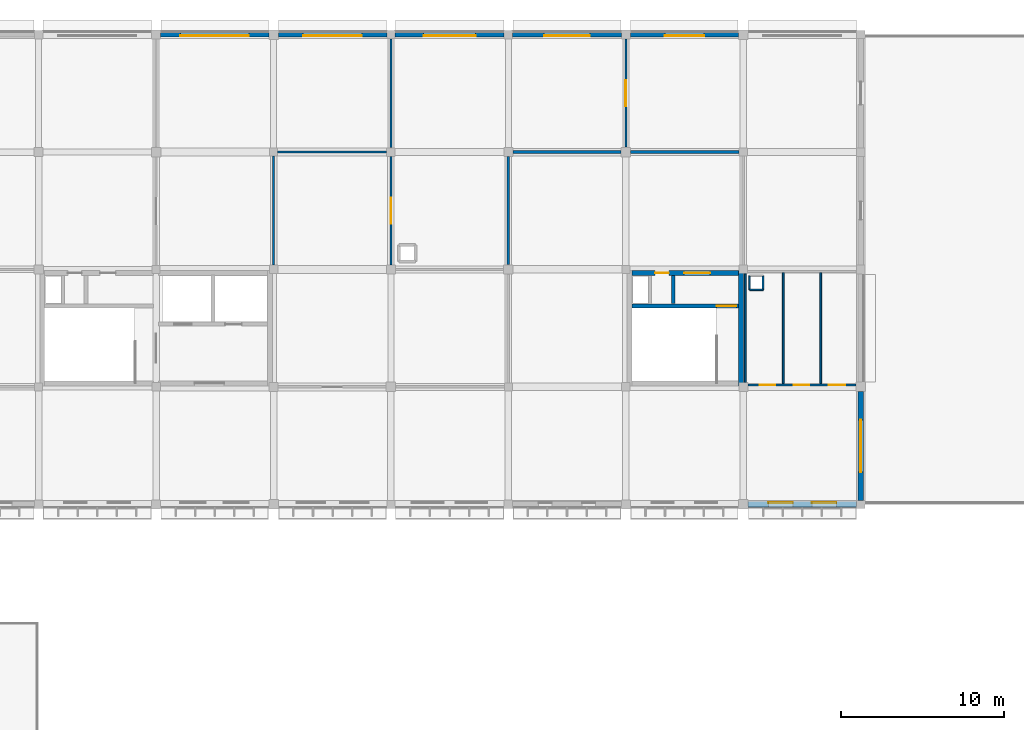
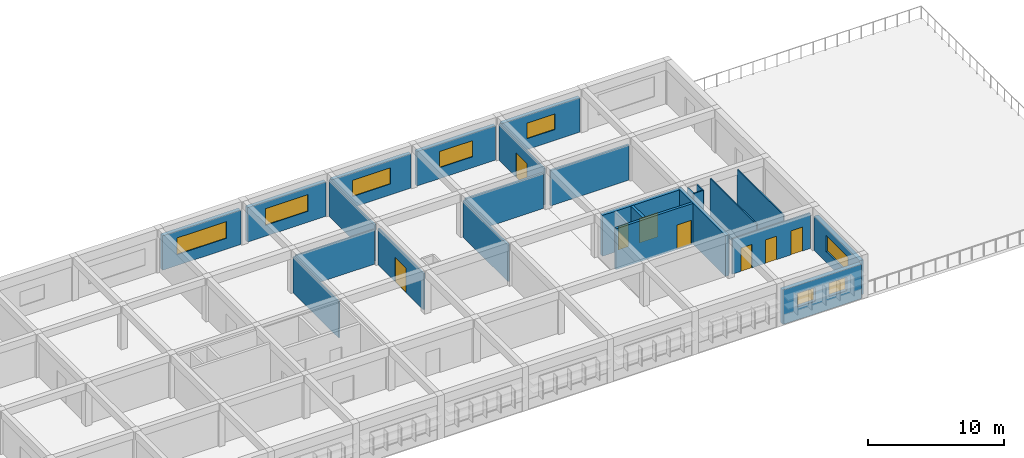
# One storey, part 17 of 22: 26 walls, 8 doors, 8 windows, 16 openings.
"""IFC4 building model written with IfcOpenShell, lengths in metres."""

from ifc_helpers import new_model, si_unit, direction, frame, frame_2d, origin, place, context, subcontext, project, spatial, rectangle, extrude, material, layer, layer_set, type_object, element, fill, save


model = new_model("IFC4")

# Units and contexts
model_context = context("Model", 3, precision=1e-05, world=origin(), true_north=direction((0.0, 1.0)))
body_context = subcontext(model_context, "Body", "Model", "MODEL_VIEW")
ifc_project = project(units=[si_unit("LENGTHUNIT", "METRE"), si_unit("AREAUNIT", "SQUARE_METRE"), si_unit("VOLUMEUNIT", "CUBIC_METRE"), si_unit("PLANEANGLEUNIT", "RADIAN"), si_unit("MASSUNIT", "GRAM", prefix="KILO")], contexts=[model_context])

# Site, building, storey
site_placement = place(None, origin())
site = spatial("IfcSite", under=ifc_project, at=site_placement, CompositionType="ELEMENT")
building_placement = place(site_placement, origin())
building = spatial("IfcBuilding", under=site, at=building_placement, Name="Thalmaran Polytechnic", CompositionType="ELEMENT")
storey_placement = place(building_placement, frame((0.0, 0.0, 22.800048828125)))
storey = spatial("IfcBuildingStorey", under=building, at=storey_placement, Name="L05", CompositionType="ELEMENT", Elevation=22.800048828125)

# Wall, openings, windows
ifc_material_1 = material(Name="Precast concrete C40/50", Category="concrete")
ifc_layer_1 = layer(ifc_material_1, 0.360107421875, Name="Precast concrete C40/50")
ifc_layer_set_1 = layer_set([ifc_layer_1], Name="Precast concrete C40/50")
wall_type_1 = type_object("IfcWallType", Name="WL-EW01", PredefinedType="STANDARD", material=ifc_layer_set_1)
wall_1_placement = place(storey_placement, frame((71.75, 93.60009765625, 0.0), z_axis=(0.0, 0.0, 1.0), x_axis=(-1.0, 0.0, 0.0)))
wall_1 = element("IfcWall", 1, at=wall_1_placement, inside=storey, type_object=wall_type_1, Name="Exterior Precast Facade Wall L05-025", PredefinedType="STANDARD", context=body_context, shape_type="SweptSolid", body=[
    extrude(rectangle(XDim=6.659912109375, YDim=0.360107421875, at=frame_2d((3.330078125, 0.0))), origin(), (0.0, 0.0, 1.0), 3.094970703125),
])
opening_1_placement = place(wall_1_placement, frame((1.248046875, 0.0, 1.14990234375)))
opening_1 = element("IfcOpeningElement", 2, at=opening_1_placement, cuts=wall_1, Name="Opening PW14", PredefinedType="OPENING", context=body_context, shape_type="SweptSolid", body=[
    extrude(rectangle(XDim=1.5, YDim=1.199951171875, at=frame_2d((0.75, 0.60009765625))), frame((0.0, 0.18994140625, 0.0), z_axis=(0.0, -1.0, 0.0), x_axis=(1.0, 0.0, 0.0)), (0.0, 0.0, 1.0), 0.380126953125),
])
opening_2_placement = place(wall_1_placement, frame((3.912109375, 0.0, 1.14990234375)))
opening_2 = element("IfcOpeningElement", 3, at=opening_2_placement, cuts=wall_1, Name="Opening PW14", PredefinedType="OPENING", context=body_context, shape_type="SweptSolid", body=[
    extrude(rectangle(XDim=1.5, YDim=1.199951171875, at=frame_2d((0.75, 0.60009765625))), frame((0.0, 0.18994140625, 0.0), z_axis=(0.0, -1.0, 0.0), x_axis=(1.0, 0.0, 0.0)), (0.0, 0.0, 1.0), 0.380126953125),
])
ifc_material_2 = material(Name="Thermally broken aluminium and double low-E glass", Category="aluminium")
window_type_1 = type_object("IfcWindowType", Name="WN-PW04", PartitioningType="DOUBLE_PANEL_VERTICAL", PredefinedType="WINDOW", material=ifc_material_2)
window_1_placement = place(opening_1_placement, origin())
window_1 = element("IfcWindow", 4, at=window_1_placement, inside=storey, type_object=window_type_1, Name="Deep-Set Solar-Screened Window W-0672", OverallHeight=1.199951171875, OverallWidth=1.5, PartitioningType="SINGLE_PANEL", PredefinedType="WINDOW", context=body_context, shape_type="SweptSolid", body=[
    extrude(rectangle(XDim=1.5, YDim=1.199951171875, at=frame_2d((0.75, 0.60009765625))), frame((0.0, -0.080078125, 0.0), z_axis=(0.0, -1.0, 0.0), x_axis=(1.0, 0.0, 0.0)), (0.0, 0.0, 1.0), 0.06005859375),
])
fill(opening_1, window_1)
window_2_placement = place(opening_2_placement, origin())
window_2 = element("IfcWindow", 5, at=window_2_placement, inside=storey, type_object=window_type_1, Name="Deep-Set Solar-Screened Window W-0673", OverallHeight=1.199951171875, OverallWidth=1.5, PartitioningType="SINGLE_PANEL", PredefinedType="WINDOW", context=body_context, shape_type="SweptSolid", body=[
    extrude(rectangle(XDim=1.5, YDim=1.199951171875, at=frame_2d((0.75, 0.60009765625))), frame((0.0, -0.080078125, 0.0), z_axis=(0.0, -1.0, 0.0), x_axis=(1.0, 0.0, 0.0)), (0.0, 0.0, 1.0), 0.06005859375),
])
fill(opening_2, window_2)

# Wall, opening, window
ifc_layer_2 = layer(ifc_material_1, 0.330078125, Name="Precast concrete C40/50")
ifc_layer_set_2 = layer_set([ifc_layer_2], Name="Precast concrete C40/50")
wall_type_2 = type_object("IfcWallType", Name="WL-EW02", PredefinedType="STANDARD", material=ifc_layer_set_2)
wall_2_placement = place(storey_placement, frame((72.0, 100.510009765625, 0.0), z_axis=(0.0, 0.0, 1.0), x_axis=(0.0, -1.0, 0.0)))
wall_2 = element("IfcWall", 6, at=wall_2_placement, inside=storey, type_object=wall_type_2, Name="Terrace Access Wall L05-024", PredefinedType="STANDARD", context=body_context, shape_type="SweptSolid", body=[
    extrude(rectangle(XDim=6.659912109375, YDim=0.330078125, at=frame_2d((3.330078125, 0.0))), origin(), (0.0, 0.0, 1.0), 3.094970703125),
])
opening_3_placement = place(wall_2_placement, frame((1.72998046875, 0.0, 0.949951171875)))
opening_3 = element("IfcOpeningElement", 7, at=opening_3_placement, cuts=wall_2, Name="Opening RW04", PredefinedType="OPENING", context=body_context, shape_type="SweptSolid", body=[
    extrude(rectangle(XDim=3.199951171875, YDim=1.449951171875, at=frame_2d((1.60009765625, 0.72509765625))), frame((0.0, 0.175048828125, 0.0), z_axis=(0.0, -1.0, 0.0), x_axis=(1.0, 0.0, 0.0)), (0.0, 0.0, 1.0), 0.35009765625),
])
window_type_2 = type_object("IfcWindowType", Name="WN-RW04", PartitioningType="DOUBLE_PANEL_VERTICAL", PredefinedType="WINDOW", material=ifc_material_2)
window_3_placement = place(opening_3_placement, origin())
window_3 = element("IfcWindow", 8, at=window_3_placement, inside=storey, type_object=window_type_2, Name="Terrace Ribbon Window W-0671", OverallHeight=1.449951171875, OverallWidth=3.199951171875, PartitioningType="SINGLE_PANEL", PredefinedType="WINDOW", context=body_context, shape_type="SweptSolid", body=[
    extrude(rectangle(XDim=3.199951171875, YDim=1.449951171875, at=frame_2d((1.60009765625, 0.72509765625))), frame((0.0, 0.030029296875, 0.0), z_axis=(0.0, -1.0, 0.0), x_axis=(1.0, 0.0, 0.0)), (0.0, 0.0, 1.0), 0.06005859375),
])
fill(opening_3, window_3)

ifc_layer_3 = layer(ifc_material_1, 0.31005859375, Name="Precast concrete C40/50")
ifc_layer_set_3 = layer_set([ifc_layer_3], Name="Precast concrete C40/50")
wall_type_3 = type_object("IfcWallType", Name="WL-EW03", PredefinedType="STANDARD", material=ifc_layer_set_3)
wall_3_placement = place(storey_placement, frame((29.074951171875, 122.39990234375, 0.0), z_axis=(0.0, 0.0, 1.0), x_axis=(1.0, 0.0, 0.0)))
wall_3 = element("IfcWall", 9, at=wall_3_placement, inside=storey, type_object=wall_type_3, Name="Exterior Precast Facade Wall L05-015", PredefinedType="STANDARD", context=body_context, shape_type="SweptSolid", body=[
    extrude(rectangle(XDim=6.635009765625, YDim=0.31005859375, at=frame_2d((3.3173828125, 0.0))), origin(), (0.0, 0.0, 1.0), 3.094970703125),
])
opening_4_placement = place(wall_3_placement, frame((1.217529296875, 0.0, 0.97998046875)))
opening_4 = element("IfcOpeningElement", 10, at=opening_4_placement, cuts=wall_3, Name="Opening RW02", PredefinedType="OPENING", context=body_context, shape_type="SweptSolid", body=[
    extrude(rectangle(XDim=4.199951171875, YDim=1.5, at=frame_2d((2.10009765625, 0.75))), frame((0.0, 0.1650390625, 0.0), z_axis=(0.0, -1.0, 0.0), x_axis=(1.0, 0.0, 0.0)), (0.0, 0.0, 1.0), 0.330078125),
])
window_type_3 = type_object("IfcWindowType", Name="WN-RW02", PartitioningType="TRIPLE_PANEL_HORIZONTAL", PredefinedType="WINDOW", material=ifc_material_2)
window_4_placement = place(opening_4_placement, origin())
window_4 = element("IfcWindow", 11, at=window_4_placement, inside=storey, type_object=window_type_3, Name="Streamline Ribbon Window W-0665", OverallHeight=1.5, OverallWidth=4.199951171875, PartitioningType="SINGLE_PANEL", PredefinedType="WINDOW", context=body_context, shape_type="SweptSolid", body=[
    extrude(rectangle(XDim=4.199951171875, YDim=1.5, at=frame_2d((2.10009765625, 0.75))), frame((0.0, -0.030029296875, 0.0), z_axis=(0.0, -1.0, 0.0), x_axis=(1.0, 0.0, 0.0)), (0.0, 0.0, 1.0), 0.06005859375),
])
fill(opening_4, window_4)

wall_4_placement = place(storey_placement, frame((36.2900390625, 122.39990234375, 0.0), z_axis=(0.0, 0.0, 1.0), x_axis=(1.0, 0.0, 0.0)))
wall_4 = element("IfcWall", 12, at=wall_4_placement, inside=storey, type_object=wall_type_3, Name="Exterior Precast Facade Wall L05-016", PredefinedType="STANDARD", context=body_context, shape_type="SweptSolid", body=[
    extrude(rectangle(XDim=6.659912109375, YDim=0.31005859375, at=frame_2d((3.330078125, 0.0))), origin(), (0.0, 0.0, 1.0), 3.094970703125),
])
opening_5_placement = place(wall_4_placement, frame((1.530029296875, 0.0, 0.97998046875)))
opening_5 = element("IfcOpeningElement", 13, at=opening_5_placement, cuts=wall_4, Name="Opening RW03", PredefinedType="OPENING", context=body_context, shape_type="SweptSolid", body=[
    extrude(rectangle(XDim=3.60009765625, YDim=1.5, at=frame_2d((1.800048828125, 0.75))), frame((0.0, 0.1650390625, 0.0), z_axis=(0.0, -1.0, 0.0), x_axis=(1.0, 0.0, 0.0)), (0.0, 0.0, 1.0), 0.330078125),
])
window_type_4 = type_object("IfcWindowType", Name="WN-RW03", PartitioningType="DOUBLE_PANEL_VERTICAL", PredefinedType="WINDOW", material=ifc_material_2)
window_5_placement = place(opening_5_placement, origin())
window_5 = element("IfcWindow", 14, at=window_5_placement, inside=storey, type_object=window_type_4, Name="Streamline Ribbon Window W-0666", OverallHeight=1.5, OverallWidth=3.60009765625, PartitioningType="SINGLE_PANEL", PredefinedType="WINDOW", context=body_context, shape_type="SweptSolid", body=[
    extrude(rectangle(XDim=3.60009765625, YDim=1.5, at=frame_2d((1.800048828125, 0.75))), frame((0.0, -0.030029296875, 0.0), z_axis=(0.0, -1.0, 0.0), x_axis=(1.0, 0.0, 0.0)), (0.0, 0.0, 1.0), 0.06005859375),
])
fill(opening_5, window_5)

wall_5_placement = place(storey_placement, frame((43.449951171875, 122.39990234375, 0.0), z_axis=(0.0, 0.0, 1.0), x_axis=(1.0, 0.0, 0.0)))
wall_5 = element("IfcWall", 15, at=wall_5_placement, inside=storey, type_object=wall_type_3, Name="Exterior Precast Facade Wall L05-017", PredefinedType="STANDARD", context=body_context, shape_type="SweptSolid", body=[
    extrude(rectangle(XDim=6.68994140625, YDim=0.31005859375, at=frame_2d((3.344970703125, 0.0))), origin(), (0.0, 0.0, 1.0), 3.094970703125),
])
opening_6_placement = place(wall_5_placement, frame((1.7451171875, 0.0, 0.97998046875)))
opening_6 = element("IfcOpeningElement", 16, at=opening_6_placement, cuts=wall_5, Name="Opening RW04", PredefinedType="OPENING", context=body_context, shape_type="SweptSolid", body=[
    extrude(rectangle(XDim=3.199951171875, YDim=1.449951171875, at=frame_2d((1.60009765625, 0.72509765625))), frame((0.0, 0.1650390625, 0.0), z_axis=(0.0, -1.0, 0.0), x_axis=(1.0, 0.0, 0.0)), (0.0, 0.0, 1.0), 0.330078125),
])
window_6_placement = place(opening_6_placement, origin())
window_6 = element("IfcWindow", 17, at=window_6_placement, inside=storey, type_object=window_type_2, Name="Streamline Ribbon Window W-0667", OverallHeight=1.449951171875, OverallWidth=3.199951171875, PartitioningType="SINGLE_PANEL", PredefinedType="WINDOW", context=body_context, shape_type="SweptSolid", body=[
    extrude(rectangle(XDim=3.199951171875, YDim=1.449951171875, at=frame_2d((1.60009765625, 0.72509765625))), frame((0.0, -0.030029296875, 0.0), z_axis=(0.0, -1.0, 0.0), x_axis=(1.0, 0.0, 0.0)), (0.0, 0.0, 1.0), 0.06005859375),
])
fill(opening_6, window_6)

wall_6_placement = place(storey_placement, frame((50.659912109375, 122.39990234375, 0.0), z_axis=(0.0, 0.0, 1.0), x_axis=(1.0, 0.0, 0.0)))
wall_6 = element("IfcWall", 18, at=wall_6_placement, inside=storey, type_object=wall_type_3, Name="Exterior Precast Facade Wall L05-018", PredefinedType="STANDARD", context=body_context, shape_type="SweptSolid", body=[
    extrude(rectangle(XDim=6.6650390625, YDim=0.31005859375, at=frame_2d((3.33251953125, 0.0))), origin(), (0.0, 0.0, 1.0), 3.094970703125),
])
opening_7_placement = place(wall_6_placement, frame((1.9326171875, 0.0, 0.97998046875)))
opening_7 = element("IfcOpeningElement", 19, at=opening_7_placement, cuts=wall_6, Name="Opening RW05", PredefinedType="OPENING", context=body_context, shape_type="SweptSolid", body=[
    extrude(rectangle(XDim=2.800048828125, YDim=1.449951171875, at=frame_2d((1.39990234375, 0.72509765625))), frame((0.0, 0.1650390625, 0.0), z_axis=(0.0, -1.0, 0.0), x_axis=(1.0, 0.0, 0.0)), (0.0, 0.0, 1.0), 0.330078125),
])
window_type_5 = type_object("IfcWindowType", Name="WN-RW05", PartitioningType="DOUBLE_PANEL_VERTICAL", PredefinedType="WINDOW", material=ifc_material_2)
window_7_placement = place(opening_7_placement, origin())
window_7 = element("IfcWindow", 20, at=window_7_placement, inside=storey, type_object=window_type_5, Name="Streamline Ribbon Window W-0668", OverallHeight=1.449951171875, OverallWidth=2.800048828125, PartitioningType="SINGLE_PANEL", PredefinedType="WINDOW", context=body_context, shape_type="SweptSolid", body=[
    extrude(rectangle(XDim=2.800048828125, YDim=1.449951171875, at=frame_2d((1.39990234375, 0.72509765625))), frame((0.0, -0.030029296875, 0.0), z_axis=(0.0, -1.0, 0.0), x_axis=(1.0, 0.0, 0.0)), (0.0, 0.0, 1.0), 0.06005859375),
])
fill(opening_7, window_7)

wall_7_placement = place(storey_placement, frame((57.875, 122.39990234375, 0.0), z_axis=(0.0, 0.0, 1.0), x_axis=(1.0, 0.0, 0.0)))
wall_7 = element("IfcWall", 21, at=wall_7_placement, inside=storey, type_object=wall_type_3, Name="Exterior Precast Facade Wall L05-019", PredefinedType="STANDARD", context=body_context, shape_type="SweptSolid", body=[
    extrude(rectangle(XDim=6.635009765625, YDim=0.31005859375, at=frame_2d((3.3173828125, 0.0))), origin(), (0.0, 0.0, 1.0), 3.094970703125),
])
opening_8_placement = place(wall_7_placement, frame((2.117431640625, 0.0, 0.97998046875)))
opening_8 = element("IfcOpeningElement", 22, at=opening_8_placement, cuts=wall_7, Name="Opening RW06", PredefinedType="OPENING", context=body_context, shape_type="SweptSolid", body=[
    extrude(rectangle(XDim=2.39990234375, YDim=1.39990234375, at=frame_2d((1.199951171875, 0.699951171875))), frame((0.0, 0.1650390625, 0.0), z_axis=(0.0, -1.0, 0.0), x_axis=(1.0, 0.0, 0.0)), (0.0, 0.0, 1.0), 0.330078125),
])
window_type_6 = type_object("IfcWindowType", Name="WN-RW06", PartitioningType="DOUBLE_PANEL_VERTICAL", PredefinedType="WINDOW", material=ifc_material_2)
window_8_placement = place(opening_8_placement, origin())
window_8 = element("IfcWindow", 23, at=window_8_placement, inside=storey, type_object=window_type_6, Name="Streamline Ribbon Window W-0669", OverallHeight=1.39990234375, OverallWidth=2.39990234375, PartitioningType="SINGLE_PANEL", PredefinedType="WINDOW", context=body_context, shape_type="SweptSolid", body=[
    extrude(rectangle(XDim=2.39990234375, YDim=1.39990234375, at=frame_2d((1.199951171875, 0.699951171875))), frame((0.0, -0.030029296875, 0.0), z_axis=(0.0, -1.0, 0.0), x_axis=(1.0, 0.0, 0.0)), (0.0, 0.0, 1.0), 0.06005859375),
])
fill(opening_8, window_8)

# Walls
ifc_material_3 = material(Name="Autoclaved aerated masonry", Category="masonry")
ifc_layer_4 = layer(ifc_material_3, 0.22998046875, Name="Autoclaved aerated masonry")
ifc_layer_set_4 = layer_set([ifc_layer_4], Name="Autoclaved aerated masonry")
wall_type_4 = type_object("IfcWallType", Name="WL-IW02", PredefinedType="PARTITIONING", material=ifc_layer_set_4)
wall_8_placement = place(storey_placement, frame((60.5, 105.89990234375, 0.0), z_axis=(0.0, 0.0, 1.0), x_axis=(0.0, 1.0, 0.0)))
element("IfcWall", 24, at=wall_8_placement, inside=storey, type_object=wall_type_4, Name="Core C6 Riser Partition L05", PredefinedType="PARTITIONING", context=body_context, shape_type="SweptSolid", body=[
    extrude(rectangle(XDim=1.739990234375, YDim=0.22998046875, at=frame_2d((0.8701171875, 0.0))), origin(), (0.0, 0.0, 1.0), 3.669921875),
])
ifc_material_4 = material(Name="Gypsum acoustic partition")
ifc_layer_5 = layer(ifc_material_4, 0.159912109375, Name="Gypsum acoustic partition")
ifc_layer_set_5 = layer_set([ifc_layer_5], Name="Gypsum acoustic partition")
wall_type_5 = type_object("IfcWallType", Name="WL-IW05", PredefinedType="PARTITIONING", material=ifc_layer_set_5)
wall_9_placement = place(storey_placement, frame((50.39990234375, 108.294921875, 0.0), z_axis=(0.0, 0.0, 1.0), x_axis=(0.0, 1.0, 0.0)))
element("IfcWall", 25, at=wall_9_placement, inside=storey, type_object=wall_type_5, Name="Interior Partition IW05 L05-032", PredefinedType="PARTITIONING", context=body_context, shape_type="SweptSolid", body=[
    extrude(rectangle(XDim=6.625, YDim=0.159912109375, at=frame_2d((3.3125, 0.0))), origin(), (0.0, 0.0, 1.0), 3.27001953125),
])
wall_10_placement = place(storey_placement, frame((50.679931640625, 115.199951171875, 0.0), z_axis=(0.0, 0.0, 1.0), x_axis=(1.0, 0.0, 0.0)))
element("IfcWall", 26, at=wall_10_placement, inside=storey, type_object=wall_type_5, Name="Interior Partition IW05 L05-033", PredefinedType="PARTITIONING", context=body_context, shape_type="SweptSolid", body=[
    extrude(rectangle(XDim=6.625, YDim=0.159912109375, at=frame_2d((3.3125, 0.0))), origin(), (0.0, 0.0, 1.0), 3.159912109375),
])
wall_11_placement = place(storey_placement, frame((57.89501953125, 115.199951171875, 0.0), z_axis=(0.0, 0.0, 1.0), x_axis=(1.0, 0.0, 0.0)))
element("IfcWall", 27, at=wall_11_placement, inside=storey, type_object=wall_type_5, Name="Interior Partition IW05 L05-036", PredefinedType="PARTITIONING", context=body_context, shape_type="SweptSolid", body=[
    extrude(rectangle(XDim=6.64990234375, YDim=0.159912109375, at=frame_2d((3.324951171875, 0.0))), origin(), (0.0, 0.0, 1.0), 3.175048828125),
])
ifc_layer_6 = layer(ifc_material_4, 0.1298828125, Name="Gypsum acoustic partition")
ifc_layer_set_6 = layer_set([ifc_layer_6], Name="Gypsum acoustic partition")
wall_type_6 = type_object("IfcWallType", Name="WL-IW07", PredefinedType="PARTITIONING", material=ifc_layer_set_6)
wall_12_placement = place(storey_placement, frame((36.0, 108.264892578125, 0.0), z_axis=(0.0, 0.0, 1.0), x_axis=(0.0, 1.0, 0.0)))
element("IfcWall", 28, at=wall_12_placement, inside=storey, type_object=wall_type_6, Name="Interior Partition IW07 L05-024", PredefinedType="PARTITIONING", context=body_context, shape_type="SweptSolid", body=[
    extrude(rectangle(XDim=6.68017578125, YDim=0.1298828125, at=frame_2d((3.340087890625, 0.0))), origin(), (0.0, 0.0, 1.0), 3.27001953125),
])

# Wall, opening, door
wall_13_placement = place(storey_placement, frame((43.199951171875, 108.280029296875, 0.0), z_axis=(0.0, 0.0, 1.0), x_axis=(0.0, 1.0, 0.0)))
wall_13 = element("IfcWall", 29, at=wall_13_placement, inside=storey, type_object=wall_type_6, Name="Interior Partition IW07 L05-026", PredefinedType="PARTITIONING", context=body_context, shape_type="SweptSolid", body=[
    extrude(rectangle(XDim=6.655029296875, YDim=0.1298828125, at=frame_2d((3.32763671875, 0.0))), origin(), (0.0, 0.0, 1.0), 3.27001953125),
])
opening_9_placement = place(wall_13_placement, frame((2.527587890625, 0.0, 0.0)))
opening_9 = element("IfcOpeningElement", 30, at=opening_9_placement, cuts=wall_13, Name="Opening D-L05-013-2-07-1", PredefinedType="OPENING", context=body_context, shape_type="SweptSolid", body=[
    extrude(rectangle(XDim=1.60009765625, YDim=2.199951171875, at=frame_2d((0.800048828125, 1.10009765625))), frame((0.0, 0.074951171875, 0.0), z_axis=(0.0, -1.0, 0.0), x_axis=(1.0, 0.0, 0.0)), (0.0, 0.0, 1.0), 0.14990234375),
])
ifc_material_5 = material(Name="Powder-coated fire-rated steel", Category="steel")
door_type_1 = type_object("IfcDoorType", Name="DR-FD05", OperationType="NOTDEFINED", PredefinedType="DOOR", material=ifc_material_5)
door_1_placement = place(opening_9_placement, origin())
door_1 = element("IfcDoor", 31, at=door_1_placement, inside=storey, type_object=door_type_1, Name="Polytechnic Library Reading Hall L05-07 Door 1", OperationType="DOUBLE_DOOR_SINGLE_SWING", OverallHeight=2.199951171875, OverallWidth=1.60009765625, PredefinedType="DOOR", context=body_context, shape_type="SweptSolid", body=[
    extrude(rectangle(XDim=1.60009765625, YDim=2.199951171875, at=frame_2d((0.800048828125, 1.10009765625))), frame((0.0, 0.02490234375, 0.0), z_axis=(0.0, -1.0, 0.0), x_axis=(1.0, 0.0, 0.0)), (0.0, 0.0, 1.0), 0.050048828125),
])
fill(opening_9, door_1)

# Wall
wall_14_placement = place(storey_placement, frame((43.199951171875, 115.465087890625, 0.0), z_axis=(0.0, 0.0, 1.0), x_axis=(0.0, 1.0, 0.0)))
element("IfcWall", 32, at=wall_14_placement, inside=storey, type_object=wall_type_6, Name="Interior Partition IW07 L05-028", PredefinedType="PARTITIONING", context=body_context, shape_type="SweptSolid", body=[
    extrude(rectangle(XDim=6.679931640625, YDim=0.1298828125, at=frame_2d((3.33984375, 0.0))), origin(), (0.0, 0.0, 1.0), 3.264892578125),
])

# Wall, opening, door
wall_15_placement = place(storey_placement, frame((57.60009765625, 115.4951171875, 0.0), z_axis=(0.0, 0.0, 1.0), x_axis=(0.0, 1.0, 0.0)))
wall_15 = element("IfcWall", 33, at=wall_15_placement, inside=storey, type_object=wall_type_6, Name="Interior Partition IW07 L05-034", PredefinedType="PARTITIONING", context=body_context, shape_type="SweptSolid", body=[
    extrude(rectangle(XDim=6.625, YDim=0.1298828125, at=frame_2d((3.3125, 0.0))), origin(), (0.0, 0.0, 1.0), 3.264892578125),
])
opening_10_placement = place(wall_15_placement, frame((2.512451171875, 0.0, 0.0)))
opening_10 = element("IfcOpeningElement", 34, at=opening_10_placement, cuts=wall_15, Name="Opening D-L05-014-2-08-1", PredefinedType="OPENING", context=body_context, shape_type="SweptSolid", body=[
    extrude(rectangle(XDim=1.60009765625, YDim=2.199951171875, at=frame_2d((0.800048828125, 1.10009765625))), frame((0.0, 0.074951171875, 0.0), z_axis=(0.0, -1.0, 0.0), x_axis=(1.0, 0.0, 0.0)), (0.0, 0.0, 1.0), 0.14990234375),
])
door_2_placement = place(opening_10_placement, origin())
door_2 = element("IfcDoor", 35, at=door_2_placement, inside=storey, type_object=door_type_1, Name="Library Book Stacks L05-08 Door 1", OperationType="DOUBLE_DOOR_SINGLE_SWING", OverallHeight=2.199951171875, OverallWidth=1.60009765625, PredefinedType="DOOR", context=body_context, shape_type="SweptSolid", body=[
    extrude(rectangle(XDim=1.60009765625, YDim=2.199951171875, at=frame_2d((0.800048828125, 1.10009765625))), frame((0.0, 0.02490234375, 0.0), z_axis=(0.0, -1.0, 0.0), x_axis=(1.0, 0.0, 0.0)), (0.0, 0.0, 1.0), 0.050048828125),
])
fill(opening_10, door_2)

# Wall, openings, doors
ifc_layer_7 = layer(ifc_material_4, 0.114990234375, Name="Gypsum acoustic partition")
ifc_layer_set_7 = layer_set([ifc_layer_7], Name="Gypsum acoustic partition")
wall_type_7 = type_object("IfcWallType", Name="WL-IW08", PredefinedType="PARTITIONING", material=ifc_layer_set_7)
wall_16_placement = place(storey_placement, frame((65.080078125, 100.919921875, 0.0), z_axis=(0.0, 0.0, 1.0), x_axis=(1.0, 0.0, 0.0)))
wall_16 = element("IfcWall", 36, at=wall_16_placement, inside=storey, type_object=wall_type_7, Name="Sanitary Core Wall L05-W2-S", PredefinedType="PARTITIONING", context=body_context, shape_type="SweptSolid", body=[
    extrude(rectangle(XDim=6.625, YDim=0.114990234375, at=frame_2d((3.3125, 0.0))), origin(), (0.0, 0.0, 1.0), 3.179931640625),
])
opening_11_placement = place(wall_16_placement, frame((0.719970703125, 0.0, 0.0)))
opening_11 = element("IfcOpeningElement", 37, at=opening_11_placement, cuts=wall_16, Name="Opening WD-L05-W2-1", PredefinedType="OPENING", context=body_context, shape_type="SweptSolid", body=[
    extrude(rectangle(XDim=0.949951171875, YDim=2.10009765625, at=frame_2d((0.47509765625, 1.050048828125))), frame((0.0, 0.0673828125, 0.0), z_axis=(0.0, -1.0, 0.0), x_axis=(1.0, 0.0, 0.0)), (0.0, 0.0, 1.0), 0.135009765625),
])
opening_12_placement = place(wall_16_placement, frame((2.820068359375, 0.0, 0.0)))
opening_12 = element("IfcOpeningElement", 38, at=opening_12_placement, cuts=wall_16, Name="Opening WD-L05-W2-2", PredefinedType="OPENING", context=body_context, shape_type="SweptSolid", body=[
    extrude(rectangle(XDim=0.949951171875, YDim=2.10009765625, at=frame_2d((0.47509765625, 1.050048828125))), frame((0.0, 0.0673828125, 0.0), z_axis=(0.0, -1.0, 0.0), x_axis=(1.0, 0.0, 0.0)), (0.0, 0.0, 1.0), 0.135009765625),
])
opening_13_placement = place(wall_16_placement, frame((4.969970703125, 0.0, 0.0)))
opening_13 = element("IfcOpeningElement", 39, at=opening_13_placement, cuts=wall_16, Name="Opening WD-L05-W2-3", PredefinedType="OPENING", context=body_context, shape_type="SweptSolid", body=[
    extrude(rectangle(XDim=1.0, YDim=2.14990234375, at=frame_2d((0.5, 1.074951171875))), frame((0.0, 0.0673828125, 0.0), z_axis=(0.0, -1.0, 0.0), x_axis=(1.0, 0.0, 0.0)), (0.0, 0.0, 1.0), 0.135009765625),
])
ifc_material_6 = material(Name="Acoustic hardwood", Category="wood")
door_type_2 = type_object("IfcDoorType", Name="DR-ID06", OperationType="NOTDEFINED", PredefinedType="DOOR", material=ifc_material_6)
door_3_placement = place(opening_13_placement, origin())
door_3 = element("IfcDoor", 40, at=door_3_placement, inside=storey, type_object=door_type_2, Name="Accessible WC Door L05-W2", OperationType="SINGLE_SWING_RIGHT", OverallHeight=2.14990234375, OverallWidth=1.0, PredefinedType="DOOR", context=body_context, shape_type="SweptSolid", body=[
    extrude(rectangle(XDim=1.0, YDim=2.14990234375, at=frame_2d((0.5, 1.074951171875))), frame((0.0, 0.02490234375, 0.0), z_axis=(0.0, -1.0, 0.0), x_axis=(1.0, 0.0, 0.0)), (0.0, 0.0, 1.0), 0.050048828125),
])
fill(opening_13, door_3)
ifc_material_7 = material(Name="Moisture-resistant laminate timber", Category="wood")
door_type_3 = type_object("IfcDoorType", Name="DR-ID07", OperationType="NOTDEFINED", PredefinedType="DOOR", material=ifc_material_7)
door_4_placement = place(opening_11_placement, origin())
door_4 = element("IfcDoor", 41, at=door_4_placement, inside=storey, type_object=door_type_3, Name="Male WC Door L05-W2", OperationType="SINGLE_SWING_RIGHT", OverallHeight=2.10009765625, OverallWidth=0.949951171875, PredefinedType="DOOR", context=body_context, shape_type="SweptSolid", body=[
    extrude(rectangle(XDim=0.949951171875, YDim=2.10009765625, at=frame_2d((0.47509765625, 1.050048828125))), frame((0.0, 0.02490234375, 0.0), z_axis=(0.0, -1.0, 0.0), x_axis=(1.0, 0.0, 0.0)), (0.0, 0.0, 1.0), 0.050048828125),
])
fill(opening_11, door_4)
door_5_placement = place(opening_12_placement, origin())
door_5 = element("IfcDoor", 42, at=door_5_placement, inside=storey, type_object=door_type_3, Name="Female WC Door L05-W2", OperationType="SINGLE_SWING_LEFT", OverallHeight=2.10009765625, OverallWidth=0.949951171875, PredefinedType="DOOR", context=body_context, shape_type="SweptSolid", body=[
    extrude(rectangle(XDim=0.949951171875, YDim=2.10009765625, at=frame_2d((0.47509765625, 1.050048828125))), frame((0.0, 0.02490234375, 0.0), z_axis=(0.0, -1.0, 0.0), x_axis=(1.0, 0.0, 0.0)), (0.0, 0.0, 1.0), 0.050048828125),
])
fill(opening_12, door_5)

# Walls
wall_17_placement = place(storey_placement, frame((64.919921875, 101.080078125, 0.0), z_axis=(0.0, 0.0, 1.0), x_axis=(0.0, 1.0, 0.0)))
element("IfcWall", 43, at=wall_17_placement, inside=storey, type_object=wall_type_7, Name="Sanitary Side Wall L05-W2-W", PredefinedType="PARTITIONING", context=body_context, shape_type="SweptSolid", body=[
    extrude(rectangle(XDim=6.655029296875, YDim=0.114990234375, at=frame_2d((3.32763671875, 0.0))), origin(), (0.0, 0.0, 1.0), 3.204833984375),
])
wall_18_placement = place(storey_placement, frame((36.2548828125, 115.199951171875, 0.0), z_axis=(0.0, 0.0, 1.0), x_axis=(1.0, 0.0, 0.0)))
element("IfcWall", 44, at=wall_18_placement, inside=storey, type_object=wall_type_7, Name="Interior Partition IW08 L05-027", PredefinedType="PARTITIONING", context=body_context, shape_type="SweptSolid", body=[
    extrude(rectangle(XDim=6.68017578125, YDim=0.114990234375, at=frame_2d((3.340087890625, 0.0))), origin(), (0.0, 0.0, 1.0), 3.119873046875),
])
ifc_material_8 = material(Name="Moisture-resistant partition")
ifc_layer_8 = layer(ifc_material_8, 0.10009765625, Name="Moisture-resistant partition")
ifc_layer_set_8 = layer_set([ifc_layer_8], Name="Moisture-resistant partition")
wall_type_8 = type_object("IfcWallType", Name="WL-IW09", PredefinedType="PARTITIONING", material=ifc_layer_set_8)
for number, where, z_axis, x_axis, name in (
    (45, (67.25, 101.0, 0.0), (0.0, 0.0, 1.0), (0.0, 1.0, 0.0), "WC Partition L05-W2-1"),
    (46, (69.550048828125, 101.0, 0.0), (0.0, 0.0, 1.0), (0.0, 1.0, 0.0), "WC Partition L05-W2-2"),
):
    element("IfcWall", number, at=place(storey_placement, frame(where, z_axis=z_axis, x_axis=x_axis)), inside=storey, type_object=wall_type_8, Name=name, PredefinedType="PARTITIONING", context=body_context, shape_type="SweptSolid", body=[
        extrude(rectangle(XDim=6.800048828125, YDim=0.10009765625, at=frame_2d((3.39990234375, 0.0))), origin(), (0.0, 0.0, 1.0), 3.669921875),
    ])
wall_19_placement = place(storey_placement, frame((65.18994140625, 106.75, 0.0), z_axis=(0.0, 0.0, 1.0), x_axis=(1.0, 0.0, 0.0)))
element("IfcWall", 47, at=wall_19_placement, inside=storey, type_object=wall_type_8, Name="Plumbing Riser Chase Wall L05-W2-S", PredefinedType="PARTITIONING", context=body_context, shape_type="SweptSolid", body=[
    extrude(rectangle(XDim=0.820068359375, YDim=0.10009765625, at=frame_2d((0.41015625, 0.0))), origin(), (0.0, 0.0, 1.0), 3.669921875),
])
for number, where, z_axis, x_axis, name in (
    (48, (66.010009765625, 106.75, 0.0), (0.0, 0.0, 1.0), (0.0, 1.0, 0.0), "Plumbing Riser Chase Wall L05-W2-E"),
    (49, (65.18994140625, 107.610107421875, 0.0), (0.0, 0.0, 1.0), (0.0, -1.0, 0.0), "Plumbing Riser Chase Wall L05-W2-W"),
):
    element("IfcWall", number, at=place(storey_placement, frame(where, z_axis=z_axis, x_axis=x_axis)), inside=storey, type_object=wall_type_8, Name=name, PredefinedType="PARTITIONING", context=body_context, shape_type="SweptSolid", body=[
        extrude(rectangle(XDim=0.860107421875, YDim=0.10009765625, at=frame_2d((0.43017578125, 0.0))), origin(), (0.0, 0.0, 1.0), 3.669921875),
    ])

# Wall, openings, doors
ifc_material_9 = material(Name="Concrete C50/60", Category="concrete")
ifc_layer_9 = layer(ifc_material_9, 0.300048828125, Name="Concrete C50/60")
ifc_layer_set_9 = layer_set([ifc_layer_9], Name="Concrete C50/60")
wall_type_9 = type_object("IfcWallType", Name="WL-SW04", PredefinedType="SHEAR", material=ifc_layer_set_9)
wall_20_placement = place(storey_placement, frame((57.969970703125, 107.780029296875, 0.0), z_axis=(0.0, 0.0, 1.0), x_axis=(1.0, 0.0, 0.0)))
wall_20 = element("IfcWall", 50, at=wall_20_placement, inside=storey, type_object=wall_type_9, Name="Core C6 North Shear Wall L05", PredefinedType="SHEAR", context=body_context, shape_type="SweptSolid", body=[
    extrude(rectangle(XDim=6.5400390625, YDim=0.300048828125, at=frame_2d((3.27001953125, 0.0))), origin(), (0.0, 0.0, 1.0), 3.669921875),
])
opening_14_placement = place(wall_20_placement, frame((1.419921875, 0.0, 0.0)))
opening_14 = element("IfcOpeningElement", 51, at=opening_14_placement, cuts=wall_20, Name="Opening DR-C6-L05-R", PredefinedType="OPENING", context=body_context, shape_type="SweptSolid", body=[
    extrude(rectangle(XDim=0.85009765625, YDim=2.10009765625, at=frame_2d((0.425048828125, 1.050048828125))), frame((0.0, 0.159912109375, 0.0), z_axis=(0.0, -1.0, 0.0), x_axis=(1.0, 0.0, 0.0)), (0.0, 0.0, 1.0), 0.320068359375),
])
opening_15_placement = place(wall_20_placement, frame((3.199951171875, 0.0, 0.0)))
opening_15 = element("IfcOpeningElement", 52, at=opening_15_placement, cuts=wall_20, Name="Opening LD-C6-L05", PredefinedType="OPENING", context=body_context, shape_type="SweptSolid", body=[
    extrude(rectangle(XDim=1.60009765625, YDim=2.199951171875, at=frame_2d((0.800048828125, 1.10009765625))), frame((0.0, 0.159912109375, 0.0), z_axis=(0.0, -1.0, 0.0), x_axis=(1.0, 0.0, 0.0)), (0.0, 0.0, 1.0), 0.320068359375),
])
door_6_placement = place(opening_15_placement, frame((1.60009765625, 0.0, 0.0), z_axis=(0.0, 0.0, 1.0), x_axis=(-1.0, 0.0, 0.0)))
door_6 = element("IfcDoor", 53, at=door_6_placement, inside=storey, type_object=door_type_1, Name="Stair Lobby Fire Door C6 L05", OperationType="DOUBLE_DOOR_SINGLE_SWING", OverallHeight=2.199951171875, OverallWidth=1.60009765625, PredefinedType="DOOR", context=body_context, shape_type="SweptSolid", body=[
    extrude(rectangle(XDim=1.60009765625, YDim=2.199951171875, at=frame_2d((0.800048828125, 1.10009765625))), frame((0.0, 0.02490234375, 0.0), z_axis=(0.0, -1.0, 0.0), x_axis=(1.0, 0.0, 0.0)), (0.0, 0.0, 1.0), 0.050048828125),
])
fill(opening_15, door_6)
door_type_4 = type_object("IfcDoorType", Name="DR-FD09", OperationType="NOTDEFINED", PredefinedType="DOOR", material=ifc_material_5)
door_7_placement = place(opening_14_placement, origin())
door_7 = element("IfcDoor", 54, at=door_7_placement, inside=storey, type_object=door_type_4, Name="Riser Access Fire Door C6 L05", OperationType="SINGLE_SWING_RIGHT", OverallHeight=2.10009765625, OverallWidth=0.85009765625, PredefinedType="DOOR", context=body_context, shape_type="SweptSolid", body=[
    extrude(rectangle(XDim=0.85009765625, YDim=2.10009765625, at=frame_2d((0.425048828125, 1.050048828125))), frame((0.0, 0.02490234375, 0.0), z_axis=(0.0, -1.0, 0.0), x_axis=(1.0, 0.0, 0.0)), (0.0, 0.0, 1.0), 0.050048828125),
])
fill(opening_14, door_7)

# Wall, opening, door
wall_21_placement = place(storey_placement, frame((57.969970703125, 105.760009765625, 0.0), z_axis=(0.0, 0.0, 1.0), x_axis=(1.0, 0.0, 0.0)))
wall_21 = element("IfcWall", 55, at=wall_21_placement, inside=storey, type_object=wall_type_9, Name="Core C6 Stair Partition L05", PredefinedType="SHEAR", context=body_context, shape_type="SweptSolid", body=[
    extrude(rectangle(XDim=6.5400390625, YDim=0.219970703125, at=frame_2d((3.27001953125, 0.0))), origin(), (0.0, 0.0, 1.0), 3.669921875),
])
opening_16_placement = place(wall_21_placement, frame((5.199951171875, 0.0, 0.0)))
opening_16 = element("IfcOpeningElement", 56, at=opening_16_placement, cuts=wall_21, Name="Opening SD-ST6-L05", PredefinedType="OPENING", context=body_context, shape_type="SweptSolid", body=[
    extrude(rectangle(XDim=1.199951171875, YDim=2.199951171875, at=frame_2d((0.60009765625, 1.10009765625))), frame((0.0, 0.119873046875, 0.0), z_axis=(0.0, -1.0, 0.0), x_axis=(1.0, 0.0, 0.0)), (0.0, 0.0, 1.0), 0.239990234375),
])
door_type_5 = type_object("IfcDoorType", Name="DR-FD04", OperationType="NOTDEFINED", PredefinedType="DOOR", material=ifc_material_5)
door_8_placement = place(opening_16_placement, origin())
door_8 = element("IfcDoor", 57, at=door_8_placement, inside=storey, type_object=door_type_5, Name="Exit Stair Fire Door ST6 L05", OperationType="DOUBLE_DOOR_SINGLE_SWING", OverallHeight=2.199951171875, OverallWidth=1.199951171875, PredefinedType="DOOR", context=body_context, shape_type="SweptSolid", body=[
    extrude(rectangle(XDim=1.199951171875, YDim=2.199951171875, at=frame_2d((0.60009765625, 1.10009765625))), frame((0.0, 0.02490234375, 0.0), z_axis=(0.0, -1.0, 0.0), x_axis=(1.0, 0.0, 0.0)), (0.0, 0.0, 1.0), 0.050048828125),
])
fill(opening_16, door_8)

# Wall
wall_22_placement = place(storey_placement, frame((64.659912109375, 100.8701171875, 0.0), z_axis=(0.0, 0.0, 1.0), x_axis=(0.0, 1.0, 0.0)))
element("IfcWall", 58, at=wall_22_placement, inside=storey, type_object=wall_type_9, Name="Core C6 East Shear Wall L05", PredefinedType="SHEAR", context=body_context, shape_type="SweptSolid", body=[
    extrude(rectangle(XDim=7.059814453125, YDim=0.300048828125, at=frame_2d((3.52978515625, 0.0))), origin(), (0.0, 0.0, 1.0), 3.669921875),
])

save(model, "model.ifc")
